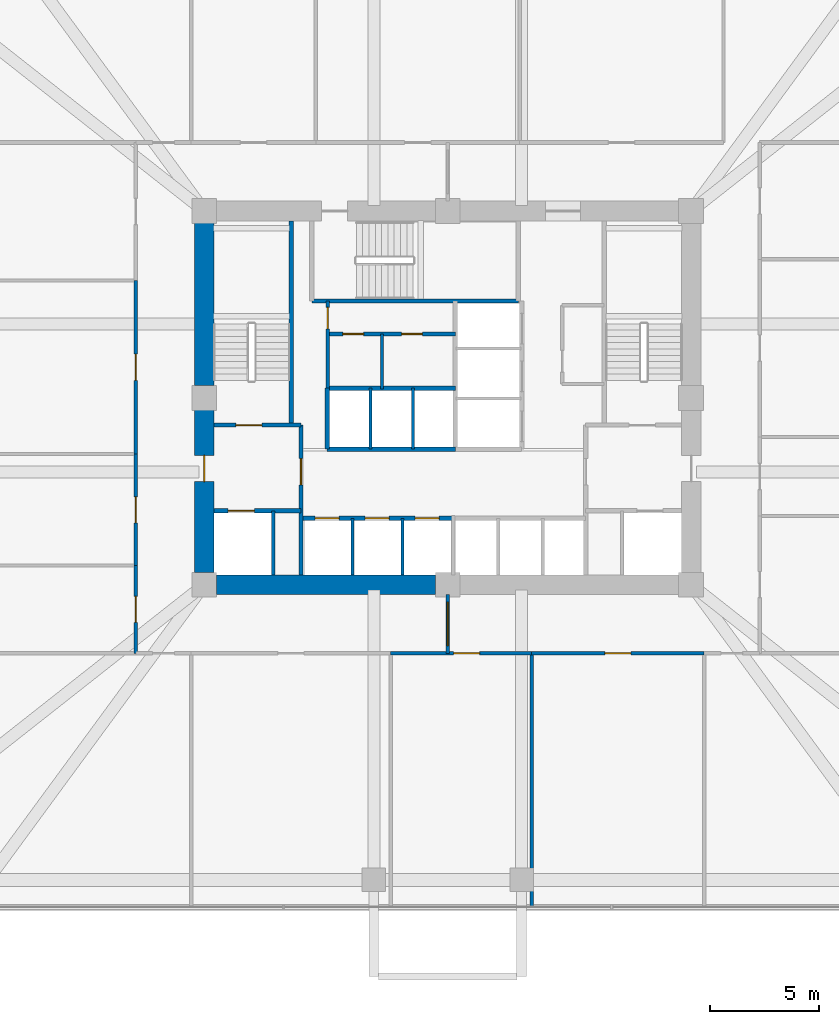
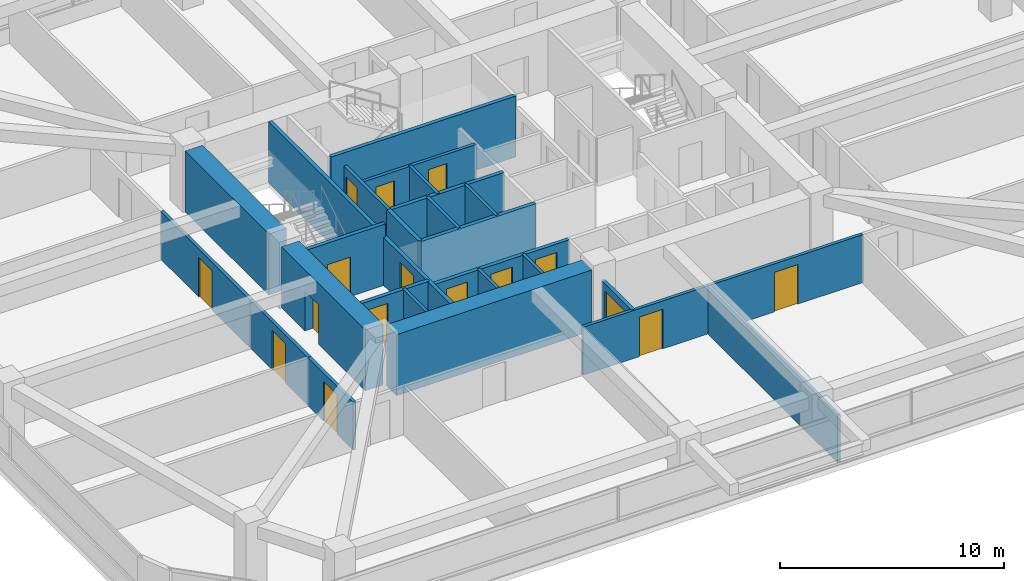
# One storey, part 9 of 13: 27 walls, 16 doors, 16 openings.
"""IFC4 building model written with IfcOpenShell, lengths in metres."""

from ifc_helpers import new_model, si_unit, derived_unit, direction, frame, frame_2d, origin, place, context, subcontext, project, spatial, rectangle, extrude, material, layer, layer_set, type_object, element, fill, save


model = new_model("IFC4")

# Units and contexts
model_context = context("Model", 3, precision=1e-05, world=origin(), true_north=direction((0.0, 1.0)))
body_context = subcontext(model_context, "Body", "Model", "MODEL_VIEW")
ifc_project = project(units=[si_unit("LENGTHUNIT", "METRE"), si_unit("AREAUNIT", "SQUARE_METRE"), si_unit("VOLUMEUNIT", "CUBIC_METRE"), si_unit("PLANEANGLEUNIT", "RADIAN"), si_unit("MASSUNIT", "GRAM", prefix="KILO"), derived_unit("THERMALTRANSMITTANCEUNIT", [(si_unit("POWERUNIT", "WATT"), 1), (si_unit("LENGTHUNIT", "METRE"), -2), (si_unit("THERMODYNAMICTEMPERATUREUNIT", "KELVIN"), -1)])], contexts=[model_context])

# Site, building, storey
site_placement = place(None, origin())
site = spatial("IfcSite", under=ifc_project, at=site_placement, CompositionType="ELEMENT")
building_placement = place(site_placement, origin())
building = spatial("IfcBuilding", under=site, at=building_placement, Name="Koralith Skygarden Medical Center", CompositionType="ELEMENT")
storey_placement = place(building_placement, frame((0.0, 0.0, 59.93994140625)))
storey = spatial("IfcBuildingStorey", under=building, at=storey_placement, Name="L15", CompositionType="ELEMENT", Elevation=59.93994140625)

# Walls
ifc_material_1 = material(Name="Gypsum Board Partition")
ifc_layer_1 = layer(ifc_material_1, 0.14990234375)
ifc_layer_set_1 = layer_set([ifc_layer_1], Name="Gypsum Board Partition")
wall_type_1 = type_object("IfcWallType", Name="Clinical Acoustic Partition 150", PredefinedType="PARTITIONING", material=ifc_layer_set_1)
wall_1_placement = place(storey_placement, frame((33.97998046875, 26.320068359375, 0.0), z_axis=(0.0, 0.0, 1.0), x_axis=(0.0, 1.0, 0.0)))
element("IfcWall", 1, at=wall_1_placement, inside=storey, type_object=wall_type_1, Name="L15 Clinical Acoustic Partition 150 W-CORE-L15-FLEX-V3A", PredefinedType="PARTITIONING", context=body_context, shape_type="SweptSolid", body=[
    extrude(rectangle(XDim=2.52001953125, YDim=0.14990234375, at=frame_2d((1.260009765625, 0.0))), origin(), (0.0, 0.0, 1.0), 2.610107421875),
])
wall_2_placement = place(storey_placement, frame((40.861083984375, 14.14990234375, 0.0), z_axis=(0.0, 0.0, 1.0), x_axis=(0.0, -1.0, 0.0)))
element("IfcWall", 2, at=wall_2_placement, inside=storey, type_object=wall_type_1, Name="L15 Clinical Acoustic Partition 150 W-PART-L15-S-03", PredefinedType="PARTITIONING", context=body_context, shape_type="SweptSolid", body=[
    extrude(rectangle(XDim=11.64990234375, YDim=0.14990234375, at=frame_2d((5.824951171875, 0.0))), origin(), (0.0, 0.0, 1.0), 2.610107421875),
])

# Wall, opening, door
ifc_layer_2 = layer(ifc_material_1, 0.1650390625)
ifc_layer_set_2 = layer_set([ifc_layer_2], Name="Gypsum Board Partition")
wall_type_2 = type_object("IfcWallType", Name="Clinical Corridor Partition 165", PredefinedType="PARTITIONING", material=ifc_layer_set_2)
wall_3_placement = place(storey_placement, frame((34.3740234375, 14.14990234375, 0.0), z_axis=(0.0, 0.0, 1.0), x_axis=(1.0, 0.0, 0.0)))
wall_3 = element("IfcWall", 3, at=wall_3_placement, inside=storey, type_object=wall_type_2, Name="L15 Clinical Corridor Partition 165 W-CORR-L15-S-03", PredefinedType="PARTITIONING", context=body_context, shape_type="SweptSolid", body=[
    extrude(rectangle(XDim=6.487060546875, YDim=0.1650390625, at=frame_2d((3.24365234375, 0.0))), origin(), (0.0, 0.0, 1.0), 2.610107421875),
])
opening_1_placement = place(wall_3_placement, frame((2.89892578125, 0.0, 0.0)))
opening_1 = element("IfcOpeningElement", 4, at=opening_1_placement, cuts=wall_3, Name="Opening D-CLN", PredefinedType="OPENING", context=body_context, shape_type="SweptSolid", body=[
    extrude(rectangle(XDim=1.199951171875, YDim=2.14990234375, at=frame_2d((0.60009765625, 1.074951171875))), frame((0.0, 0.092529296875, 0.0), z_axis=(0.0, -1.0, 0.0), x_axis=(1.0, 0.0, 0.0)), (0.0, 0.0, 1.0), 0.18505859375),
])
ifc_material_2 = material(Name="Aluminium 6063-T6", Category="aluminium")
door_type_1 = type_object("IfcDoorType", Name="Clinical Corridor Door D-CLN 1200", OperationType="NOTDEFINED", PredefinedType="DOOR", material=ifc_material_2)
door_1_placement = place(opening_1_placement, frame((1.199951171875, 0.0, 0.0), z_axis=(0.0, 0.0, 1.0), x_axis=(-1.0, 0.0, 0.0)))
door_1 = element("IfcDoor", 5, at=door_1_placement, inside=storey, type_object=door_type_1, Name="L15 Phlebotomy Blood Draw Room 07 Door", OperationType="SINGLE_SWING_RIGHT", OverallHeight=2.14990234375, OverallWidth=1.199951171875, PredefinedType="DOOR", context=body_context, shape_type="SweptSolid", body=[
    extrude(rectangle(XDim=1.199951171875, YDim=2.14990234375, at=frame_2d((0.60009765625, 1.074951171875))), frame((0.0, 0.02490234375, 0.0), z_axis=(0.0, -1.0, 0.0), x_axis=(1.0, 0.0, 0.0)), (0.0, 0.0, 1.0), 0.050048828125),
])
fill(opening_1, door_1)

wall_4_placement = place(storey_placement, frame((40.861083984375, 14.14990234375, 0.0), z_axis=(0.0, 0.0, 1.0), x_axis=(1.0, 0.0, 0.0)))
wall_4 = element("IfcWall", 6, at=wall_4_placement, inside=storey, type_object=wall_type_2, Name="L15 Clinical Corridor Partition 165 W-CORR-L15-S-04", PredefinedType="PARTITIONING", context=body_context, shape_type="SweptSolid", body=[
    extrude(rectangle(XDim=7.93896484375, YDim=0.1650390625, at=frame_2d((3.969482421875, 0.0))), origin(), (0.0, 0.0, 1.0), 2.610107421875),
])
opening_2_placement = place(wall_4_placement, frame((3.368896484375, 0.0, 0.0)))
opening_2 = element("IfcOpeningElement", 7, at=opening_2_placement, cuts=wall_4, Name="Opening D-CLN", PredefinedType="OPENING", context=body_context, shape_type="SweptSolid", body=[
    extrude(rectangle(XDim=1.199951171875, YDim=2.14990234375, at=frame_2d((0.60009765625, 1.074951171875))), frame((0.0, 0.092529296875, 0.0), z_axis=(0.0, -1.0, 0.0), x_axis=(1.0, 0.0, 0.0)), (0.0, 0.0, 1.0), 0.18505859375),
])
door_2_placement = place(opening_2_placement, frame((1.199951171875, 0.0, 0.0), z_axis=(0.0, 0.0, 1.0), x_axis=(-1.0, 0.0, 0.0)))
door_2 = element("IfcDoor", 8, at=door_2_placement, inside=storey, type_object=door_type_1, Name="L15 Chemotherapy Prep Store 08 Door", OperationType="SINGLE_SWING_LEFT", OverallHeight=2.14990234375, OverallWidth=1.199951171875, PredefinedType="DOOR", context=body_context, shape_type="SweptSolid", body=[
    extrude(rectangle(XDim=1.199951171875, YDim=2.14990234375, at=frame_2d((0.60009765625, 1.074951171875))), frame((0.0, 0.02490234375, 0.0), z_axis=(0.0, -1.0, 0.0), x_axis=(1.0, 0.0, 0.0)), (0.0, 0.0, 1.0), 0.050048828125),
])
fill(opening_2, door_2)

wall_5_placement = place(storey_placement, frame((22.64990234375, 14.14990234375, 0.0), z_axis=(0.0, 0.0, 1.0), x_axis=(0.0, 1.0, 0.0)))
wall_5 = element("IfcWall", 9, at=wall_5_placement, inside=storey, type_object=wall_type_2, Name="L15 Clinical Corridor Partition 165 W-CORR-L15-W-01", PredefinedType="PARTITIONING", context=body_context, shape_type="SweptSolid", body=[
    extrude(rectangle(XDim=4.033203125, YDim=0.1650390625, at=frame_2d((2.0166015625, 0.0))), origin(), (0.0, 0.0, 1.0), 2.610107421875),
])
opening_3_placement = place(wall_5_placement, frame((1.416015625, 0.0, 0.0)))
opening_3 = element("IfcOpeningElement", 10, at=opening_3_placement, cuts=wall_5, Name="Opening D-CLN", PredefinedType="OPENING", context=body_context, shape_type="SweptSolid", body=[
    extrude(rectangle(XDim=1.199951171875, YDim=2.14990234375, at=frame_2d((0.60009765625, 1.074951171875))), frame((0.0, 0.092529296875, 0.0), z_axis=(0.0, -1.0, 0.0), x_axis=(1.0, 0.0, 0.0)), (0.0, 0.0, 1.0), 0.18505859375),
])
door_3_placement = place(opening_3_placement, frame((1.199951171875, 0.0, 0.0), z_axis=(0.0, 0.0, 1.0), x_axis=(-1.0, 0.0, 0.0)))
door_3 = element("IfcDoor", 11, at=door_3_placement, inside=storey, type_object=door_type_1, Name="L15 Infusion Therapy Treatment Room 10 Door", OperationType="SINGLE_SWING_LEFT", OverallHeight=2.14990234375, OverallWidth=1.199951171875, PredefinedType="DOOR", context=body_context, shape_type="SweptSolid", body=[
    extrude(rectangle(XDim=1.199951171875, YDim=2.14990234375, at=frame_2d((0.60009765625, 1.074951171875))), frame((0.0, 0.02490234375, 0.0), z_axis=(0.0, -1.0, 0.0), x_axis=(1.0, 0.0, 0.0)), (0.0, 0.0, 1.0), 0.050048828125),
])
fill(opening_3, door_3)

wall_6_placement = place(storey_placement, frame((22.64990234375, 18.18310546875, 0.0), z_axis=(0.0, 0.0, 1.0), x_axis=(0.0, 1.0, 0.0)))
wall_6 = element("IfcWall", 12, at=wall_6_placement, inside=storey, type_object=wall_type_2, Name="L15 Clinical Corridor Partition 165 W-CORR-L15-W-02", PredefinedType="PARTITIONING", context=body_context, shape_type="SweptSolid", body=[
    extrude(rectangle(XDim=5.1318359375, YDim=0.1650390625, at=frame_2d((2.56591796875, 0.0))), origin(), (0.0, 0.0, 1.0), 2.610107421875),
])
opening_4_placement = place(wall_6_placement, frame((1.966064453125, 0.0, 0.0)))
opening_4 = element("IfcOpeningElement", 13, at=opening_4_placement, cuts=wall_6, Name="Opening D-CLN", PredefinedType="OPENING", context=body_context, shape_type="SweptSolid", body=[
    extrude(rectangle(XDim=1.199951171875, YDim=2.14990234375, at=frame_2d((0.60009765625, 1.074951171875))), frame((0.0, 0.092529296875, 0.0), z_axis=(0.0, -1.0, 0.0), x_axis=(1.0, 0.0, 0.0)), (0.0, 0.0, 1.0), 0.18505859375),
])
door_4_placement = place(opening_4_placement, frame((1.199951171875, 0.0, 0.0), z_axis=(0.0, 0.0, 1.0), x_axis=(-1.0, 0.0, 0.0)))
door_4 = element("IfcDoor", 14, at=door_4_placement, inside=storey, type_object=door_type_1, Name="L15 Phlebotomy Blood Draw Room 11 Door", OperationType="SINGLE_SWING_RIGHT", OverallHeight=2.14990234375, OverallWidth=1.199951171875, PredefinedType="DOOR", context=body_context, shape_type="SweptSolid", body=[
    extrude(rectangle(XDim=1.199951171875, YDim=2.14990234375, at=frame_2d((0.60009765625, 1.074951171875))), frame((0.0, 0.02490234375, 0.0), z_axis=(0.0, -1.0, 0.0), x_axis=(1.0, 0.0, 0.0)), (0.0, 0.0, 1.0), 0.050048828125),
])
fill(opening_4, door_4)

wall_7_placement = place(storey_placement, frame((22.64990234375, 23.31494140625, 0.0), z_axis=(0.0, 0.0, 1.0), x_axis=(0.0, 1.0, 0.0)))
wall_7 = element("IfcWall", 15, at=wall_7_placement, inside=storey, type_object=wall_type_2, Name="L15 Clinical Corridor Partition 165 W-CORR-L15-W-03", PredefinedType="PARTITIONING", context=body_context, shape_type="SweptSolid", body=[
    extrude(rectangle(XDim=7.989990234375, YDim=0.1650390625, at=frame_2d((3.9951171875, 0.0))), origin(), (0.0, 0.0, 1.0), 2.610107421875),
])
opening_5_placement = place(wall_7_placement, frame((3.39501953125, 0.0, 0.0)))
opening_5 = element("IfcOpeningElement", 16, at=opening_5_placement, cuts=wall_7, Name="Opening D-CLN", PredefinedType="OPENING", context=body_context, shape_type="SweptSolid", body=[
    extrude(rectangle(XDim=1.199951171875, YDim=2.14990234375, at=frame_2d((0.60009765625, 1.074951171875))), frame((0.0, 0.092529296875, 0.0), z_axis=(0.0, -1.0, 0.0), x_axis=(1.0, 0.0, 0.0)), (0.0, 0.0, 1.0), 0.18505859375),
])
door_5_placement = place(opening_5_placement, frame((1.199951171875, 0.0, 0.0), z_axis=(0.0, 0.0, 1.0), x_axis=(-1.0, 0.0, 0.0)))
door_5 = element("IfcDoor", 17, at=door_5_placement, inside=storey, type_object=door_type_1, Name="L15 Chemotherapy Prep Store 12 Door", OperationType="SINGLE_SWING_LEFT", OverallHeight=2.14990234375, OverallWidth=1.199951171875, PredefinedType="DOOR", context=body_context, shape_type="SweptSolid", body=[
    extrude(rectangle(XDim=1.199951171875, YDim=2.14990234375, at=frame_2d((0.60009765625, 1.074951171875))), frame((0.0, 0.02490234375, 0.0), z_axis=(0.0, -1.0, 0.0), x_axis=(1.0, 0.0, 0.0)), (0.0, 0.0, 1.0), 0.050048828125),
])
fill(opening_5, door_5)

ifc_layer_3 = layer(ifc_material_1, 0.199951171875)
ifc_layer_set_3 = layer_set([ifc_layer_3], Name="Gypsum Board Partition")
wall_type_3 = type_object("IfcWallType", Name="Fire Shaft Wall 200", PredefinedType="SOLIDWALL", material=ifc_layer_set_3)
wall_8_placement = place(storey_placement, frame((26.25, 20.699951171875, 0.0), z_axis=(0.0, 0.0, 1.0), x_axis=(1.0, 0.0, 0.0)))
wall_8 = element("IfcWall", 18, at=wall_8_placement, inside=storey, type_object=wall_type_3, Name="L15 Fire Shaft Wall 200 W-CORE-L15-FF1-N", PredefinedType="SOLIDWALL", context=body_context, shape_type="SweptSolid", body=[
    extrude(rectangle(XDim=4.0, YDim=0.199951171875, at=frame_2d((2.0, 0.0))), origin(), (0.0, 0.0, 1.0), 2.610107421875),
])
opening_6_placement = place(wall_8_placement, frame((0.64990234375, 0.0, 0.0)))
opening_6 = element("IfcOpeningElement", 19, at=opening_6_placement, cuts=wall_8, Name="Opening LD-FF", PredefinedType="OPENING", context=body_context, shape_type="SweptSolid", body=[
    extrude(rectangle(XDim=1.199951171875, YDim=2.14990234375, at=frame_2d((0.60009765625, 1.074951171875))), frame((0.0, 0.10986328125, 0.0), z_axis=(0.0, -1.0, 0.0), x_axis=(1.0, 0.0, 0.0)), (0.0, 0.0, 1.0), 0.219970703125),
])
ifc_material_3 = material(Name="Steel ASTM A500 Grade C", Category="steel")
door_type_2 = type_object("IfcDoorType", Name="Fire Lift Sliding Landing Door LD-FF 1200", OperationType="NOTDEFINED", PredefinedType="DOOR", material=ifc_material_3)
door_6_placement = place(opening_6_placement, origin())
door_6 = element("IfcDoor", 20, at=door_6_placement, inside=storey, type_object=door_type_2, Name="L15 Fire Service Elevator FF1 Landing Door", OperationType="SLIDING_TO_LEFT", OverallHeight=2.14990234375, OverallWidth=1.199951171875, PredefinedType="DOOR", context=body_context, shape_type="SweptSolid", body=[
    extrude(rectangle(XDim=1.199951171875, YDim=2.14990234375, at=frame_2d((0.60009765625, 1.074951171875))), frame((0.0, 0.02490234375, 0.0), z_axis=(0.0, -1.0, 0.0), x_axis=(1.0, 0.0, 0.0)), (0.0, 0.0, 1.0), 0.050048828125),
])
fill(opening_6, door_6)

wall_9_placement = place(storey_placement, frame((30.25, 17.75, 0.0), z_axis=(0.0, 0.0, 1.0), x_axis=(0.0, 1.0, 0.0)))
wall_9 = element("IfcWall", 21, at=wall_9_placement, inside=storey, type_object=wall_type_3, Name="L15 Fire Shaft Wall 200 W-CORE-L15-FSAEW-E", PredefinedType="SOLIDWALL", context=body_context, shape_type="SweptSolid", body=[
    extrude(rectangle(XDim=6.89990234375, YDim=0.199951171875, at=frame_2d((3.449951171875, 0.0))), origin(), (0.0, 0.0, 1.0), 2.610107421875),
])
opening_7_placement = place(wall_9_placement, frame((4.14990234375, 0.0, 0.0)))
opening_7 = element("IfcOpeningElement", 22, at=opening_7_placement, cuts=wall_9, Name="Opening D-ST60", PredefinedType="OPENING", context=body_context, shape_type="SweptSolid", body=[
    extrude(rectangle(XDim=1.199951171875, YDim=2.14990234375, at=frame_2d((0.60009765625, 1.074951171875))), frame((0.0, 0.10986328125, 0.0), z_axis=(0.0, -1.0, 0.0), x_axis=(1.0, 0.0, 0.0)), (0.0, 0.0, 1.0), 0.219970703125),
])
door_type_3 = type_object("IfcDoorType", Name="Smokeproof Stair Fire Door FD60S 1200", OperationType="NOTDEFINED", PredefinedType="DOOR", material=ifc_material_3)
door_7_placement = place(opening_7_placement, origin())
door_7 = element("IfcDoor", 23, at=door_7_placement, inside=storey, type_object=door_type_3, Name="L15 West Firefighting Lobby Inner Fire Door", OperationType="SINGLE_SWING_LEFT", OverallHeight=2.14990234375, OverallWidth=1.199951171875, PredefinedType="DOOR", context=body_context, shape_type="SweptSolid", body=[
    extrude(rectangle(XDim=1.199951171875, YDim=2.14990234375, at=frame_2d((0.60009765625, 1.074951171875))), frame((0.0, 0.02490234375, 0.0), z_axis=(0.0, -1.0, 0.0), x_axis=(1.0, 0.0, 0.0)), (0.0, 0.0, 1.0), 0.050048828125),
])
fill(opening_7, door_7)

# Wall, openings, doors
wall_10_placement = place(storey_placement, frame((30.25, 20.360107421875, 0.0), z_axis=(0.0, 0.0, 1.0), x_axis=(1.0, 0.0, 0.0)))
wall_10 = element("IfcWall", 24, at=wall_10_placement, inside=storey, type_object=wall_type_3, Name="L15 Fire Shaft Wall 200 W-CORE-L15-PL-N", PredefinedType="SOLIDWALL", context=body_context, shape_type="SweptSolid", body=[
    extrude(rectangle(XDim=7.0, YDim=0.199951171875, at=frame_2d((3.5, 0.0))), origin(), (0.0, 0.0, 1.0), 2.610107421875),
])
opening_8_placement = place(wall_10_placement, frame((0.64990234375, 0.0, 0.0)))
opening_8 = element("IfcOpeningElement", 25, at=opening_8_placement, cuts=wall_10, Name="Opening LD-P", PredefinedType="OPENING", context=body_context, shape_type="SweptSolid", body=[
    extrude(rectangle(XDim=1.10009765625, YDim=2.14990234375, at=frame_2d((0.550048828125, 1.074951171875))), frame((0.0, 0.10986328125, 0.0), z_axis=(0.0, -1.0, 0.0), x_axis=(1.0, 0.0, 0.0)), (0.0, 0.0, 1.0), 0.219970703125),
])
opening_9_placement = place(wall_10_placement, frame((2.949951171875, 0.0, 0.0)))
opening_9 = element("IfcOpeningElement", 26, at=opening_9_placement, cuts=wall_10, Name="Opening LD-P", PredefinedType="OPENING", context=body_context, shape_type="SweptSolid", body=[
    extrude(rectangle(XDim=1.10009765625, YDim=2.14990234375, at=frame_2d((0.550048828125, 1.074951171875))), frame((0.0, 0.10986328125, 0.0), z_axis=(0.0, -1.0, 0.0), x_axis=(1.0, 0.0, 0.0)), (0.0, 0.0, 1.0), 0.219970703125),
])
opening_10_placement = place(wall_10_placement, frame((5.25, 0.0, 0.0)))
opening_10 = element("IfcOpeningElement", 27, at=opening_10_placement, cuts=wall_10, Name="Opening LD-P", PredefinedType="OPENING", context=body_context, shape_type="SweptSolid", body=[
    extrude(rectangle(XDim=1.10009765625, YDim=2.14990234375, at=frame_2d((0.550048828125, 1.074951171875))), frame((0.0, 0.10986328125, 0.0), z_axis=(0.0, -1.0, 0.0), x_axis=(1.0, 0.0, 0.0)), (0.0, 0.0, 1.0), 0.219970703125),
])
door_type_4 = type_object("IfcDoorType", Name="Passenger Lift Sliding Landing Door LD-P 1100", OperationType="NOTDEFINED", PredefinedType="DOOR", material=ifc_material_3)
door_8_placement = place(opening_8_placement, origin())
door_8 = element("IfcDoor", 28, at=door_8_placement, inside=storey, type_object=door_type_4, Name="L15 Passenger Elevator PL1 Landing Door", OperationType="SLIDING_TO_LEFT", OverallHeight=2.14990234375, OverallWidth=1.10009765625, PredefinedType="DOOR", context=body_context, shape_type="SweptSolid", body=[
    extrude(rectangle(XDim=1.10009765625, YDim=2.14990234375, at=frame_2d((0.550048828125, 1.074951171875))), frame((0.0, 0.02490234375, 0.0), z_axis=(0.0, -1.0, 0.0), x_axis=(1.0, 0.0, 0.0)), (0.0, 0.0, 1.0), 0.050048828125),
])
fill(opening_8, door_8)
door_9_placement = place(opening_9_placement, origin())
door_9 = element("IfcDoor", 29, at=door_9_placement, inside=storey, type_object=door_type_4, Name="L15 Passenger Elevator PL2 Landing Door", OperationType="SLIDING_TO_LEFT", OverallHeight=2.14990234375, OverallWidth=1.10009765625, PredefinedType="DOOR", context=body_context, shape_type="SweptSolid", body=[
    extrude(rectangle(XDim=1.10009765625, YDim=2.14990234375, at=frame_2d((0.550048828125, 1.074951171875))), frame((0.0, 0.02490234375, 0.0), z_axis=(0.0, -1.0, 0.0), x_axis=(1.0, 0.0, 0.0)), (0.0, 0.0, 1.0), 0.050048828125),
])
fill(opening_9, door_9)
door_10_placement = place(opening_10_placement, origin())
door_10 = element("IfcDoor", 30, at=door_10_placement, inside=storey, type_object=door_type_4, Name="L15 Passenger Elevator PL3 Landing Door", OperationType="SLIDING_TO_LEFT", OverallHeight=2.14990234375, OverallWidth=1.10009765625, PredefinedType="DOOR", context=body_context, shape_type="SweptSolid", body=[
    extrude(rectangle(XDim=1.10009765625, YDim=2.14990234375, at=frame_2d((0.550048828125, 1.074951171875))), frame((0.0, 0.02490234375, 0.0), z_axis=(0.0, -1.0, 0.0), x_axis=(1.0, 0.0, 0.0)), (0.0, 0.0, 1.0), 0.050048828125),
])
fill(opening_10, door_10)

# Walls
for number, where, z_axis, x_axis, name in (
    (31, (31.449951171875, 23.5400390625, 0.0), (0.0, 0.0, 1.0), (1.0, 0.0, 0.0), "L15 Fire Shaft Wall 200 W-CORE-L15-PH-S"),
    (32, (31.449951171875, 26.35009765625, 0.0), (0.0, 0.0, 1.0), (1.0, 0.0, 0.0), "L15 Fire Shaft Wall 200 W-CORE-L15-PH-N"),
):
    element("IfcWall", number, at=place(storey_placement, frame(where, z_axis=z_axis, x_axis=x_axis)), inside=storey, type_object=wall_type_3, Name=name, PredefinedType="SOLIDWALL", context=body_context, shape_type="SweptSolid", body=[
        extrude(rectangle(XDim=5.900146484375, YDim=0.199951171875, at=frame_2d((2.9501953125, 0.0))), origin(), (0.0, 0.0, 1.0), 2.610107421875),
    ])
wall_11_placement = place(storey_placement, frame((31.449951171875, 23.5400390625, 0.0), z_axis=(0.0, 0.0, 1.0), x_axis=(0.0, 1.0, 0.0)))
element("IfcWall", 33, at=wall_11_placement, inside=storey, type_object=wall_type_3, Name="L15 Fire Shaft Wall 200 W-CORE-L15-PH-W", PredefinedType="SOLIDWALL", context=body_context, shape_type="SweptSolid", body=[
    extrude(rectangle(XDim=2.81005859375, YDim=0.199951171875, at=frame_2d((1.405029296875, 0.0))), origin(), (0.0, 0.0, 1.0), 2.610107421875),
])

# Wall, opening, door
ifc_layer_4 = layer(ifc_material_1, 0.179931640625)
ifc_layer_set_4 = layer_set([ifc_layer_4], Name="Gypsum Board Partition")
wall_type_4 = type_object("IfcWallType", Name="Group I-2 Smoke Barrier Wall 180", PredefinedType="PARTITIONING", material=ifc_layer_set_4)
wall_12_placement = place(storey_placement, frame((37.0, 14.14990234375, 0.0), z_axis=(0.0, 0.0, 1.0), x_axis=(0.0, 1.0, 0.0)))
wall_12 = element("IfcWall", 34, at=wall_12_placement, inside=storey, type_object=wall_type_4, Name="L15 Group I-2 Smoke Barrier Wall 180 W-SMK-L15-S", PredefinedType="PARTITIONING", context=body_context, shape_type="SweptSolid", body=[
    extrude(rectangle(XDim=2.7001953125, YDim=0.179931640625, at=frame_2d((1.35009765625, 0.0))), origin(), (0.0, 0.0, 1.0), 2.610107421875),
])
opening_11_placement = place(wall_12_placement, frame((0.35009765625, 0.0, 0.0)))
opening_11 = element("IfcOpeningElement", 35, at=opening_11_placement, cuts=wall_12, Name="Opening D-SMK", PredefinedType="OPENING", context=body_context, shape_type="SweptSolid", body=[
    extrude(rectangle(XDim=2.0, YDim=2.199951171875, at=frame_2d((1.0, 1.10009765625))), frame((0.0, 0.099853515625, 0.0), z_axis=(0.0, -1.0, 0.0), x_axis=(1.0, 0.0, 0.0)), (0.0, 0.0, 1.0), 0.199951171875),
])
door_type_5 = type_object("IfcDoorType", Name="Cross-Corridor Double Smoke Door FD60S 2000", OperationType="NOTDEFINED", PredefinedType="DOOR", material=ifc_material_3)
door_11_placement = place(opening_11_placement, frame((2.0, 0.0, 0.0), z_axis=(0.0, 0.0, 1.0), x_axis=(-1.0, 0.0, 0.0)))
door_11 = element("IfcDoor", 36, at=door_11_placement, inside=storey, type_object=door_type_5, Name="L15 S Smoke Compartment Cross-Corridor Door", OperationType="DOUBLE_DOOR_SINGLE_SWING", OverallHeight=2.199951171875, OverallWidth=2.0, PredefinedType="DOOR", context=body_context, shape_type="SweptSolid", body=[
    extrude(rectangle(XDim=2.0, YDim=2.199951171875, at=frame_2d((1.0, 1.10009765625))), frame((0.0, 0.02490234375, 0.0), z_axis=(0.0, -1.0, 0.0), x_axis=(1.0, 0.0, 0.0)), (0.0, 0.0, 1.0), 0.050048828125),
])
fill(opening_11, door_11)

# Walls
ifc_material_4 = material(Name="Concrete C70/85", Category="concrete")
ifc_layer_5 = layer(ifc_material_4, 0.89990234375)
ifc_layer_set_5 = layer_set([ifc_layer_5], Name="Concrete C70/85")
wall_type_5 = type_object("IfcWallType", Name="Lower Core Shear Wall 900", PredefinedType="SHEAR", material=ifc_layer_set_5)
wall_13_placement = place(storey_placement, frame((26.364990234375, 17.300048828125, 0.0), z_axis=(0.0, 0.0, 1.0), x_axis=(1.0, 0.0, 0.0)))
element("IfcWall", 37, at=wall_13_placement, inside=storey, type_object=wall_type_5, Name="L15 Core Shear Wall Segment 1", PredefinedType="SHEAR", context=body_context, shape_type="SweptSolid", body=[
    extrude(rectangle(XDim=10.070068359375, YDim=0.89990234375, at=frame_2d((5.03515625, 0.0))), origin(), (0.0, 0.0, 1.0), 3.320068359375),
])
wall_14_placement = place(storey_placement, frame((25.800048828125, 33.93505859375, 0.0), z_axis=(0.0, 0.0, 1.0), x_axis=(0.0, -1.0, 0.0)))
element("IfcWall", 38, at=wall_14_placement, inside=storey, type_object=wall_type_5, Name="L15 Core Shear Wall Segment 7", PredefinedType="SHEAR", context=body_context, shape_type="SweptSolid", body=[
    extrude(rectangle(XDim=7.469970703125, YDim=0.89990234375, at=frame_2d((3.73486328125, 0.0))), origin(), (0.0, 0.0, 1.0), 3.320068359375),
])

# Wall, opening, door
wall_15_placement = place(storey_placement, frame((25.800048828125, 25.3349609375, 0.0), z_axis=(0.0, 0.0, 1.0), x_axis=(0.0, -1.0, 0.0)))
wall_15 = element("IfcWall", 39, at=wall_15_placement, inside=storey, type_object=wall_type_5, Name="L15 Core Shear Wall Segment 8", PredefinedType="SHEAR", context=body_context, shape_type="SweptSolid", body=[
    extrude(rectangle(XDim=7.469970703125, YDim=0.89990234375, at=frame_2d((3.73486328125, 0.0))), origin(), (0.0, 0.0, 1.0), 3.320068359375),
])
opening_12_placement = place(wall_15_placement, frame((2.0849609375, 0.0, 0.0)))
opening_12 = element("IfcOpeningElement", 40, at=opening_12_placement, cuts=wall_15, Name="Opening D-ST60", PredefinedType="OPENING", context=body_context, shape_type="SweptSolid", body=[
    extrude(rectangle(XDim=1.199951171875, YDim=2.14990234375, at=frame_2d((0.60009765625, 1.074951171875))), frame((0.0, 0.4599609375, 0.0), z_axis=(0.0, -1.0, 0.0), x_axis=(1.0, 0.0, 0.0)), (0.0, 0.0, 1.0), 0.919921875),
])
door_12_placement = place(opening_12_placement, frame((1.199951171875, 0.0, 0.0), z_axis=(0.0, 0.0, 1.0), x_axis=(-1.0, 0.0, 0.0)))
door_12 = element("IfcDoor", 41, at=door_12_placement, inside=storey, type_object=door_type_3, Name="L15 West Corridor to Firefighting Lobby Door", OperationType="SINGLE_SWING_LEFT", OverallHeight=2.14990234375, OverallWidth=1.199951171875, PredefinedType="DOOR", context=body_context, shape_type="SweptSolid", body=[
    extrude(rectangle(XDim=1.199951171875, YDim=2.14990234375, at=frame_2d((0.60009765625, 1.074951171875))), frame((0.0, 0.02490234375, 0.0), z_axis=(0.0, -1.0, 0.0), x_axis=(1.0, 0.0, 0.0)), (0.0, 0.0, 1.0), 0.050048828125),
])
fill(opening_12, door_12)

ifc_layer_6 = layer(ifc_material_1, 0.1650390625)
ifc_layer_set_6 = layer_set([ifc_layer_6], Name="Gypsum Board Partition")
wall_type_6 = type_object("IfcWallType", Name="Plumbing Wet Wall 165", PredefinedType="PLUMBINGWALL", material=ifc_layer_set_6)
wall_16_placement = place(storey_placement, frame((31.47998046875, 26.320068359375, 0.0), z_axis=(0.0, 0.0, 1.0), x_axis=(0.0, 1.0, 0.0)))
wall_16 = element("IfcWall", 42, at=wall_16_placement, inside=storey, type_object=wall_type_6, Name="L15 Plumbing Wet Wall 165 W-CORE-L15-FLEX-W", PredefinedType="PLUMBINGWALL", context=body_context, shape_type="SweptSolid", body=[
    extrude(rectangle(XDim=4.0400390625, YDim=0.1650390625, at=frame_2d((2.02001953125, 0.0))), origin(), (0.0, 0.0, 1.0), 2.610107421875),
])
opening_13_placement = place(wall_16_placement, frame((2.75, 0.0, 0.0)))
opening_13 = element("IfcOpeningElement", 43, at=opening_13_placement, cuts=wall_16, Name="Opening D-SUP", PredefinedType="OPENING", context=body_context, shape_type="SweptSolid", body=[
    extrude(rectangle(XDim=1.0, YDim=2.14990234375, at=frame_2d((0.5, 1.074951171875))), frame((0.0, 0.092529296875, 0.0), z_axis=(0.0, -1.0, 0.0), x_axis=(1.0, 0.0, 0.0)), (0.0, 0.0, 1.0), 0.18505859375),
])
door_type_6 = type_object("IfcDoorType", Name="Clinical Support Door D-SUP 1000", OperationType="NOTDEFINED", PredefinedType="DOOR", material=ifc_material_2)
door_13_placement = place(opening_13_placement, frame((1.0, 0.0, 0.0), z_axis=(0.0, 0.0, 1.0), x_axis=(-1.0, 0.0, 0.0)))
door_13 = element("IfcDoor", 44, at=door_13_placement, inside=storey, type_object=door_type_6, Name="L15 Core Utility Alcove Door", OperationType="SINGLE_SWING_RIGHT", OverallHeight=2.14990234375, OverallWidth=1.0, PredefinedType="DOOR", context=body_context, shape_type="SweptSolid", body=[
    extrude(rectangle(XDim=1.0, YDim=2.14990234375, at=frame_2d((0.5, 1.074951171875))), frame((0.0, 0.02490234375, 0.0), z_axis=(0.0, -1.0, 0.0), x_axis=(1.0, 0.0, 0.0)), (0.0, 0.0, 1.0), 0.050048828125),
])
fill(opening_13, door_13)

# Wall, openings, doors
wall_17_placement = place(storey_placement, frame((31.47998046875, 28.840087890625, 0.0), z_axis=(0.0, 0.0, 1.0), x_axis=(1.0, 0.0, 0.0)))
wall_17 = element("IfcWall", 45, at=wall_17_placement, inside=storey, type_object=wall_type_6, Name="L15 Plumbing Wet Wall 165 W-CORE-L15-FLEX-H3", PredefinedType="PLUMBINGWALL", context=body_context, shape_type="SweptSolid", body=[
    extrude(rectangle(XDim=5.8701171875, YDim=0.1650390625, at=frame_2d((2.93505859375, 0.0))), origin(), (0.0, 0.0, 1.0), 2.610107421875),
])
opening_14_placement = place(wall_17_placement, frame((0.699951171875, 0.0, 0.0)))
opening_14 = element("IfcOpeningElement", 46, at=opening_14_placement, cuts=wall_17, Name="Opening D-WC", PredefinedType="OPENING", context=body_context, shape_type="SweptSolid", body=[
    extrude(rectangle(XDim=0.949951171875, YDim=2.10009765625, at=frame_2d((0.47509765625, 1.050048828125))), frame((0.0, 0.092529296875, 0.0), z_axis=(0.0, -1.0, 0.0), x_axis=(1.0, 0.0, 0.0)), (0.0, 0.0, 1.0), 0.18505859375),
])
opening_15_placement = place(wall_17_placement, frame((3.39990234375, 0.0, 0.0)))
opening_15 = element("IfcOpeningElement", 47, at=opening_15_placement, cuts=wall_17, Name="Opening D-WC", PredefinedType="OPENING", context=body_context, shape_type="SweptSolid", body=[
    extrude(rectangle(XDim=0.949951171875, YDim=2.10009765625, at=frame_2d((0.47509765625, 1.050048828125))), frame((0.0, 0.092529296875, 0.0), z_axis=(0.0, -1.0, 0.0), x_axis=(1.0, 0.0, 0.0)), (0.0, 0.0, 1.0), 0.18505859375),
])
door_type_7 = type_object("IfcDoorType", Name="Accessible Toilet Door D-WC 950", OperationType="NOTDEFINED", PredefinedType="DOOR", material=ifc_material_2)
door_14_placement = place(opening_14_placement, frame((0.949951171875, 0.0, 0.0), z_axis=(0.0, 0.0, 1.0), x_axis=(-1.0, 0.0, 0.0)))
door_14 = element("IfcDoor", 48, at=door_14_placement, inside=storey, type_object=door_type_7, Name="L15 Core Accessible WC Door", OperationType="SINGLE_SWING_LEFT", OverallHeight=2.10009765625, OverallWidth=0.949951171875, PredefinedType="DOOR", context=body_context, shape_type="SweptSolid", body=[
    extrude(rectangle(XDim=0.949951171875, YDim=2.10009765625, at=frame_2d((0.47509765625, 1.050048828125))), frame((0.0, 0.02490234375, 0.0), z_axis=(0.0, -1.0, 0.0), x_axis=(1.0, 0.0, 0.0)), (0.0, 0.0, 1.0), 0.050048828125),
])
fill(opening_14, door_14)
door_15_placement = place(opening_15_placement, frame((0.949951171875, 0.0, 0.0), z_axis=(0.0, 0.0, 1.0), x_axis=(-1.0, 0.0, 0.0)))
door_15 = element("IfcDoor", 49, at=door_15_placement, inside=storey, type_object=door_type_7, Name="L15 Housekeeping Store Door", OperationType="SINGLE_SWING_RIGHT", OverallHeight=2.10009765625, OverallWidth=0.949951171875, PredefinedType="DOOR", context=body_context, shape_type="SweptSolid", body=[
    extrude(rectangle(XDim=0.949951171875, YDim=2.10009765625, at=frame_2d((0.47509765625, 1.050048828125))), frame((0.0, 0.02490234375, 0.0), z_axis=(0.0, -1.0, 0.0), x_axis=(1.0, 0.0, 0.0)), (0.0, 0.0, 1.0), 0.050048828125),
])
fill(opening_15, door_15)

# Walls
ifc_layer_7 = layer(ifc_material_1, 0.14990234375)
ifc_layer_set_7 = layer_set([ifc_layer_7], Name="Gypsum Board Partition")
wall_type_7 = type_object("IfcWallType", Name="Shaft Partition Wall 150", PredefinedType="PARTITIONING", material=ifc_layer_set_7)
wall_18_placement = place(storey_placement, frame((28.969970703125, 17.75, 0.0), z_axis=(0.0, 0.0, 1.0), x_axis=(0.0, 1.0, 0.0)))
element("IfcWall", 50, at=wall_18_placement, inside=storey, type_object=wall_type_7, Name="L15 Shaft Partition Wall 150 W-CORE-L15-RSRW-DIV", PredefinedType="PARTITIONING", context=body_context, shape_type="SweptSolid", body=[
    extrude(rectangle(XDim=2.949951171875, YDim=0.14990234375, at=frame_2d((1.47509765625, 0.0))), origin(), (0.0, 0.0, 1.0), 2.610107421875),
])
for number, where, z_axis, x_axis, name in (
    (51, (32.6201171875, 17.75, 0.0), (0.0, 0.0, 1.0), (0.0, 1.0, 0.0), "L15 Shaft Partition Wall 150 W-CORE-L15-PL-D1"),
    (52, (34.919921875, 17.75, 0.0), (0.0, 0.0, 1.0), (0.0, 1.0, 0.0), "L15 Shaft Partition Wall 150 W-CORE-L15-PL-D2"),
):
    element("IfcWall", number, at=place(storey_placement, frame(where, z_axis=z_axis, x_axis=x_axis)), inside=storey, type_object=wall_type_7, Name=name, PredefinedType="PARTITIONING", context=body_context, shape_type="SweptSolid", body=[
        extrude(rectangle(XDim=2.610107421875, YDim=0.14990234375, at=frame_2d((1.30517578125, 0.0))), origin(), (0.0, 0.0, 1.0), 2.610107421875),
    ])
for number, where, z_axis, x_axis, name in (
    (53, (33.449951171875, 23.5400390625, 0.0), (0.0, 0.0, 1.0), (0.0, 1.0, 0.0), "L15 Shaft Partition Wall 150 W-CORE-L15-PH-D1"),
    (54, (35.39990234375, 23.5400390625, 0.0), (0.0, 0.0, 1.0), (0.0, 1.0, 0.0), "L15 Shaft Partition Wall 150 W-CORE-L15-PH-D2"),
):
    element("IfcWall", number, at=place(storey_placement, frame(where, z_axis=z_axis, x_axis=x_axis)), inside=storey, type_object=wall_type_7, Name=name, PredefinedType="PARTITIONING", context=body_context, shape_type="SweptSolid", body=[
        extrude(rectangle(XDim=2.81005859375, YDim=0.14990234375, at=frame_2d((1.405029296875, 0.0))), origin(), (0.0, 0.0, 1.0), 2.610107421875),
    ])
ifc_material_5 = material(Name="Concrete C45/55", Category="concrete")
ifc_layer_8 = layer(ifc_material_5, 0.199951171875)
ifc_layer_set_8 = layer_set([ifc_layer_8], Name="Concrete C45/55")
wall_type_8 = type_object("IfcWallType", Name="Structural Stair Shaft Wall 200", PredefinedType="SHEAR", material=ifc_layer_set_8)
wall_19_placement = place(storey_placement, frame((29.800048828125, 24.64990234375, 0.0), z_axis=(0.0, 0.0, 1.0), x_axis=(0.0, 1.0, 0.0)))
element("IfcWall", 55, at=wall_19_placement, inside=storey, type_object=wall_type_8, Name="L15 Structural Stair Shaft Wall 200 W-CORE-L15-ST1-E", PredefinedType="SHEAR", context=body_context, shape_type="SweptSolid", body=[
    extrude(rectangle(XDim=9.400146484375, YDim=0.199951171875, at=frame_2d((4.7001953125, 0.0))), origin(), (0.0, 0.0, 1.0), 3.320068359375),
])

# Wall, opening, door
wall_20_placement = place(storey_placement, frame((26.25, 24.64990234375, 0.0), z_axis=(0.0, 0.0, 1.0), x_axis=(1.0, 0.0, 0.0)))
wall_20 = element("IfcWall", 56, at=wall_20_placement, inside=storey, type_object=wall_type_8, Name="L15 Structural Stair Shaft Wall 200 W-CORE-L15-ST1-S", PredefinedType="SHEAR", context=body_context, shape_type="SweptSolid", body=[
    extrude(rectangle(XDim=4.0, YDim=0.199951171875, at=frame_2d((2.0, 0.0))), origin(), (0.0, 0.0, 1.0), 3.320068359375),
])
opening_16_placement = place(wall_20_placement, frame((1.0, 0.0, 0.0)))
opening_16 = element("IfcOpeningElement", 57, at=opening_16_placement, cuts=wall_20, Name="Opening D-ST60", PredefinedType="OPENING", context=body_context, shape_type="SweptSolid", body=[
    extrude(rectangle(XDim=1.199951171875, YDim=2.14990234375, at=frame_2d((0.60009765625, 1.074951171875))), frame((0.0, 0.10986328125, 0.0), z_axis=(0.0, -1.0, 0.0), x_axis=(1.0, 0.0, 0.0)), (0.0, 0.0, 1.0), 0.219970703125),
])
door_16_placement = place(opening_16_placement, origin())
door_16 = element("IfcDoor", 58, at=door_16_placement, inside=storey, type_object=door_type_3, Name="L15 Exit Stair ST1 Fire Door", OperationType="SINGLE_SWING_LEFT", OverallHeight=2.14990234375, OverallWidth=1.199951171875, PredefinedType="DOOR", context=body_context, shape_type="SweptSolid", body=[
    extrude(rectangle(XDim=1.199951171875, YDim=2.14990234375, at=frame_2d((0.60009765625, 1.074951171875))), frame((0.0, 0.02490234375, 0.0), z_axis=(0.0, -1.0, 0.0), x_axis=(1.0, 0.0, 0.0)), (0.0, 0.0, 1.0), 0.050048828125),
])
fill(opening_16, door_16)

# Wall
wall_21_placement = place(storey_placement, frame((30.75, 30.360107421875, 0.0), z_axis=(0.0, 0.0, 1.0), x_axis=(1.0, 0.0, 0.0)))
element("IfcWall", 59, at=wall_21_placement, inside=storey, type_object=wall_type_8, Name="L15 Structural Stair Shaft Wall 200 W-CORE-L15-ST3-S", PredefinedType="SHEAR", context=body_context, shape_type="SweptSolid", body=[
    extrude(rectangle(XDim=9.5, YDim=0.199951171875, at=frame_2d((4.75, 0.0))), origin(), (0.0, 0.0, 1.0), 3.320068359375),
])

save(model, "model.ifc")
